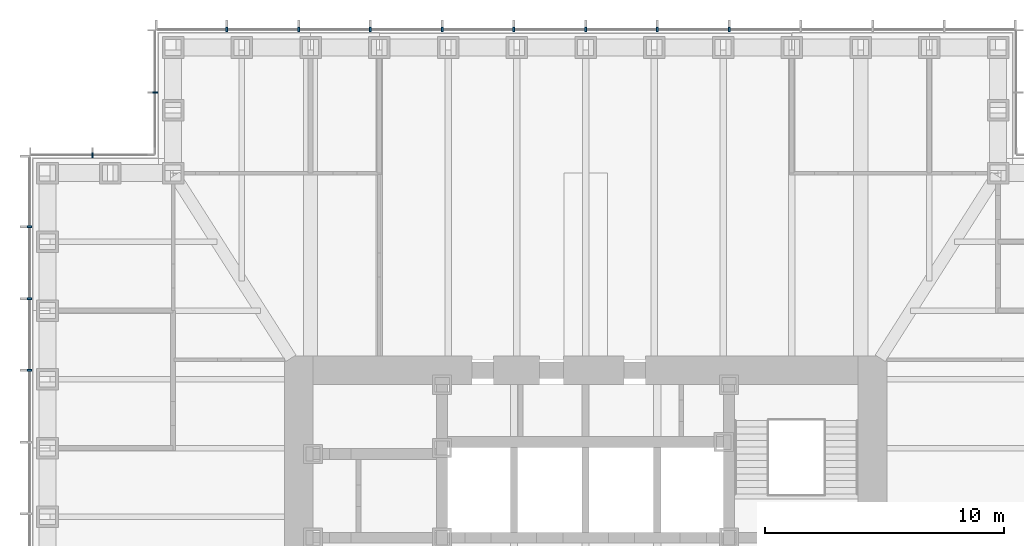
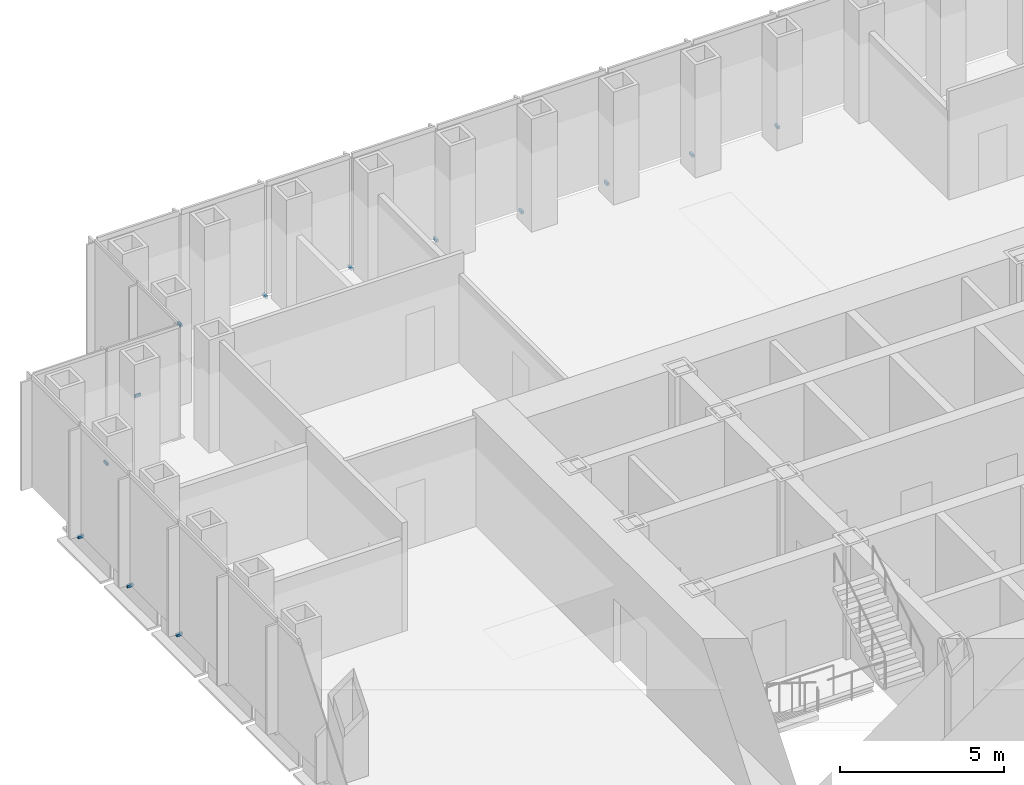
# One storey, part 14 of 16: 13 discrete accessories.
"""IFC4 building model written with IfcOpenShell, lengths in metres."""

import ifcopenshell
import ifcopenshell.guid

model = None  # the IFC model being written
_history = None  # IfcOwnerHistory: only IFC2X3 demands one
_inside = {}  # id of a spatial element -> (the spatial element, [elements in it])
_under = {}  # id of a project, library or spatial element -> (it, [spatial elements below it])
_declared = {}  # id of a project -> (the project, [libraries it declares])
_typed = {}  # id of a type object -> (the type object, [elements of that type])
_made_of = {}  # id of a material, layer set ... -> (it, [elements and type objects made of it])


def new_model(schema):
    """Start an empty IFC model of exactly this schema.

    Asked for "IFC4X3", IfcOpenShell would pick the latest addendum, in which some entities
    have other attributes; the version numbers below select the first issue.
    IFC2X3 requires an IfcOwnerHistory on every rooted entity: one is made here for all.
    """
    global model, _history
    if schema == "IFC4X3":
        model = ifcopenshell.file(schema_version=(4, 3, 0, 0))
    else:
        model = ifcopenshell.file(schema=schema)
    _inside.clear()
    _under.clear()
    _declared.clear()
    _typed.clear()
    _made_of.clear()
    _history = None
    if model.schema == "IFC2X3":
        org = make("IfcOrganization", Name="unknown")
        user = make(
            "IfcPersonAndOrganization",
            ThePerson=make("IfcPerson", FamilyName="unknown"),
            TheOrganization=org,
        )
        app = make(
            "IfcApplication",
            ApplicationDeveloper=org,
            Version="unknown",
            ApplicationFullName="unknown",
            ApplicationIdentifier="unknown",
        )
        _history = make(
            "IfcOwnerHistory",
            OwningUser=user,
            OwningApplication=app,
            ChangeAction="ADDED",
            CreationDate=0,
        )
    return model


def make(cls, **values):
    """One entity of the class cls with the attributes given. An attribute that is None is left unset."""
    return model.create_entity(
        cls, **{name: value for name, value in values.items() if value is not None}
    )


def rooted(cls, **values):
    """An entity with a GlobalId (a new one), such as an element, a storey or a relation."""
    return make(cls, GlobalId=ifcopenshell.guid.new(), OwnerHistory=_history, **values)


def si_unit(unit_type, name, prefix=None):
    """IfcSIUnit, for example si_unit("LENGTHUNIT", "METRE", prefix="MILLI")."""
    return make("IfcSIUnit", UnitType=unit_type, Prefix=prefix, Name=name)


def assignment(units):
    """IfcUnitAssignment: the units of a project."""
    return None if units is None else make("IfcUnitAssignment", Units=units)


def point(xyz):
    """IfcCartesianPoint."""
    return None if xyz is None else make("IfcCartesianPoint", Coordinates=xyz)


def direction(xyz):
    """IfcDirection."""
    return None if xyz is None else make("IfcDirection", DirectionRatios=xyz)


def frame(location, z_axis=None, x_axis=None):
    """IfcAxis2Placement3D, a coordinate frame: its origin and axes. An axis left out is left unset."""
    return make(
        "IfcAxis2Placement3D",
        Location=point(location),
        Axis=direction(z_axis),
        RefDirection=direction(x_axis),
    )


def frame_2d(location, x_axis=None):
    """IfcAxis2Placement2D, a coordinate frame in the plane: its origin and x axis."""
    return make(
        "IfcAxis2Placement2D", Location=point(location), RefDirection=direction(x_axis)
    )


def origin():
    """The frame at (0, 0, 0) with its axes left unset."""
    return frame((0.0, 0.0, 0.0))


def origin_2d():
    """The frame at (0, 0) in the plane with its x axis left unset."""
    return frame_2d((0.0, 0.0))


def place(relative_to, where):
    """IfcLocalPlacement: puts the frame where relative to a parent placement (None: the world)."""
    return make(
        "IfcLocalPlacement", PlacementRelTo=relative_to, RelativePlacement=where
    )


def context(
    kind, dimensions, precision=None, world=None, true_north=None, identifier=None
):
    """IfcGeometricRepresentationContext, for example the 3D "Model" context."""
    return make(
        "IfcGeometricRepresentationContext",
        ContextIdentifier=identifier,
        ContextType=kind,
        CoordinateSpaceDimension=dimensions,
        Precision=precision,
        WorldCoordinateSystem=world,
        TrueNorth=true_north,
    )


def subcontext(parent, identifier, kind, view, scale=None):
    """IfcGeometricRepresentationSubContext, for example "Body" below "Model"."""
    return make(
        "IfcGeometricRepresentationSubContext",
        ContextIdentifier=identifier,
        ContextType=kind,
        ParentContext=parent,
        TargetScale=scale,
        TargetView=view,
    )


def project(units=None, contexts=None):
    """IfcProject with its units and contexts."""
    return rooted(
        "IfcProject",
        Name="project",
        RepresentationContexts=contexts,
        UnitsInContext=assignment(units),
    )


def spatial(cls, under=None, at=None, **own):
    """A site, building, storey or space (cls), placed at a placement, below another one or the project."""
    s = rooted(cls, ObjectPlacement=at, **own)
    if under is not None:
        _under.setdefault(under.id(), (under, []))[1].append(s)
    return s


def profile(cls, at=None, kind="AREA", **sizes):
    """A parametric profile (cls). Its sizes go by their IFC names, for example OverallWidth=200.0."""
    return make(cls, ProfileType=kind, Position=at, **sizes)


def rectangle(**sizes):
    """IfcRectangleProfileDef."""
    return profile("IfcRectangleProfileDef", **sizes)


def extrude(swept, where, along, depth):
    """IfcExtrudedAreaSolid: the profile swept, set in the frame where, extruded along a direction by depth."""
    return make(
        "IfcExtrudedAreaSolid",
        SweptArea=swept,
        Position=where,
        ExtrudedDirection=direction(along),
        Depth=depth,
    )


def shape(context_of_items, identifier, shape_type, items):
    """IfcShapeRepresentation: the items that make up one representation, for example the "Body"."""
    return make(
        "IfcShapeRepresentation",
        ContextOfItems=context_of_items,
        RepresentationIdentifier=identifier,
        RepresentationType=shape_type,
        Items=items,
    )


def made_of(thing, what):
    """Note that an element or type object is made of a material, layer set ...; save() writes the relation."""
    if what is not None:
        _made_of.setdefault(what.id(), (what, []))[1].append(thing)
    return thing


def element(
    cls,
    number,
    at=None,
    inside=None,
    cuts=None,
    type_object=None,
    material=None,
    context=None,
    identifier="Body",
    shape_type=None,
    held_by="IfcProductDefinitionShape",
    body=None,
    shapes=None,
    **own,
):
    """One element of the class cls, such as IfcWall. Its Tag is "e" and its number.

    at: its placement. inside: the storey or other place that contains it. cuts: it is an
    opening in that element (IfcRelVoidsElement). A single representation is given by context,
    identifier, shape_type and body (its items); several are given by shapes. held_by: the class
    of the entity that holds the representations. save() writes the other relations.
    """
    e = rooted(cls, Tag="e%d" % number, ObjectPlacement=at, **own)
    if body is not None:
        shapes = [shape(context, identifier, shape_type, body)]
    if shapes is not None:
        e.Representation = make(held_by, Representations=shapes)
    if inside is not None:
        _inside.setdefault(inside.id(), (inside, []))[1].append(e)
    if cuts is not None:
        rooted(
            "IfcRelVoidsElement", RelatingBuildingElement=cuts, RelatedOpeningElement=e
        )
    if type_object is not None:
        _typed.setdefault(type_object.id(), (type_object, []))[1].append(e)
    return made_of(e, material)


def aggregate(whole, parts):
    """IfcRelAggregates: a whole, such as a stair, and the parts it consists of."""
    return rooted("IfcRelAggregates", RelatingObject=whole, RelatedObjects=parts)


def save(model, path):
    """Write the relations noted so far, then the file.

    IfcRelAggregates (storeys below a building ...), IfcRelContainedInSpatialStructure (elements
    in a storey), IfcRelDefinesByType, IfcRelAssociatesMaterial and IfcRelDeclares: one each for
    every whole, place, type object, material and project.
    """
    for whole, parts in _under.values():
        aggregate(whole, parts)
    for where, things in _inside.values():
        rooted(
            "IfcRelContainedInSpatialStructure",
            RelatedElements=things,
            RelatingStructure=where,
        )
    for kind, things in _typed.values():
        rooted("IfcRelDefinesByType", RelatedObjects=things, RelatingType=kind)
    for what, things in _made_of.values():
        rooted("IfcRelAssociatesMaterial", RelatedObjects=things, RelatingMaterial=what)
    for by, libraries in _declared.values():
        rooted("IfcRelDeclares", RelatingContext=by, RelatedDefinitions=libraries)
    model.write(path)


model = new_model("IFC4")

# Units and contexts
model_context = context("Model", 3, precision=1e-05, world=origin(), true_north=direction((0.0, 1.0)))
body_context = subcontext(model_context, "Body", "Model", "MODEL_VIEW")
ifc_project = project(units=[si_unit("LENGTHUNIT", "METRE"), si_unit("AREAUNIT", "SQUARE_METRE"), si_unit("VOLUMEUNIT", "CUBIC_METRE"), si_unit("PLANEANGLEUNIT", "RADIAN"), si_unit("MASSUNIT", "GRAM", prefix="KILO")], contexts=[model_context])

# Site, building, storey
site_placement = place(None, origin())
site = spatial("IfcSite", under=ifc_project, at=site_placement, CompositionType="ELEMENT")
building_placement = place(site_placement, origin())
building = spatial("IfcBuilding", under=site, at=building_placement, Name="Daluyong Arena Tower", CompositionType="ELEMENT")
storey_placement = place(building_placement, frame((0.0, 0.0, 162.699951171875)))
storey = spatial("IfcBuildingStorey", under=building, at=storey_placement, Name="L36", CompositionType="ELEMENT", Elevation=162.699951171875)

# Discrete accessories
for number, where, z_axis, x_axis, name in (
    (1, (62.0, 103.25, -0.10009765625), (0.0, 0.0, 1.0), (-1.0, 0.0, 0.0), "curtain wall L36 N anchor bracket 5"),
    (2, (59.0, 103.25, -0.10009765625), (0.0, 0.0, 1.0), (-1.0, 0.0, 0.0), "curtain wall L36 N anchor bracket 6"),
    (3, (56.0, 103.25, -0.10009765625), (0.0, 0.0, 1.0), (-1.0, 0.0, 0.0), "curtain wall L36 N anchor bracket 7"),
    (4, (53.0, 103.25, -0.10009765625), (0.0, 0.0, 1.0), (-1.0, 0.0, 0.0), "curtain wall L36 N anchor bracket 8"),
    (5, (50.0, 103.25, -0.10009765625), (0.0, 0.0, 1.0), (-1.0, 0.0, 0.0), "curtain wall L36 N anchor bracket 9"),
    (6, (47.0, 103.25, -0.10009765625), (0.0, 0.0, 1.0), (-1.0, 0.0, 0.0), "curtain wall L36 N anchor bracket 10"),
    (7, (44.0, 103.25, -0.10009765625), (0.0, 0.0, 1.0), (-1.0, 0.0, 0.0), "curtain wall L36 N anchor bracket 11"),
    (8, (41.0, 103.25, -0.10009765625), (0.0, 0.0, 1.0), (-1.0, 0.0, 0.0), "curtain wall L36 N anchor bracket 12"),
):
    element("IfcDiscreteAccessory", number, at=place(storey_placement, frame(where, z_axis=z_axis, x_axis=x_axis)), inside=storey, Name=name, PredefinedType="BRACKET", context=body_context, shape_type="SweptSolid", body=[
        extrude(rectangle(XDim=0.080078125, YDim=0.199951171875, at=origin_2d()), origin(), (0.0, 0.0, 1.0), 0.10009765625),
    ])
for number, where, z_axis, x_axis, name in (
    (9, (38.0, 100.625, -0.10009765625), (0.0, 0.0, 1.0), (0.0, -1.0, 0.0), "curtain wall L36 NW-W anchor bracket 2"),
    (10, (35.375, 98.0, -0.10009765625), (0.0, 0.0, 1.0), (-1.0, 0.0, 0.0), "curtain wall L36 NW-N anchor bracket 2"),
):
    element("IfcDiscreteAccessory", number, at=place(storey_placement, frame(where, z_axis=z_axis, x_axis=x_axis)), inside=storey, Name=name, PredefinedType="BRACKET", context=body_context, shape_type="SweptSolid", body=[
        extrude(rectangle(XDim=0.06005859375, YDim=0.199951171875, at=origin_2d()), origin(), (0.0, 0.0, 1.0), 0.10009765625),
    ])
for number, where, z_axis, x_axis, name in (
    (11, (32.75, 95.0, -0.10009765625), (0.0, 0.0, 1.0), (0.0, -1.0, 0.0), "curtain wall L36 W anchor bracket 2"),
    (12, (32.75, 92.0, -0.10009765625), (0.0, 0.0, 1.0), (0.0, -1.0, 0.0), "curtain wall L36 W anchor bracket 3"),
    (13, (32.75, 89.0, -0.10009765625), (0.0, 0.0, 1.0), (0.0, -1.0, 0.0), "curtain wall L36 W anchor bracket 4"),
):
    element("IfcDiscreteAccessory", number, at=place(storey_placement, frame(where, z_axis=z_axis, x_axis=x_axis)), inside=storey, Name=name, PredefinedType="BRACKET", context=body_context, shape_type="SweptSolid", body=[
        extrude(rectangle(XDim=0.080078125, YDim=0.199951171875, at=origin_2d()), origin(), (0.0, 0.0, 1.0), 0.10009765625),
    ])

save(model, "model.ifc")
